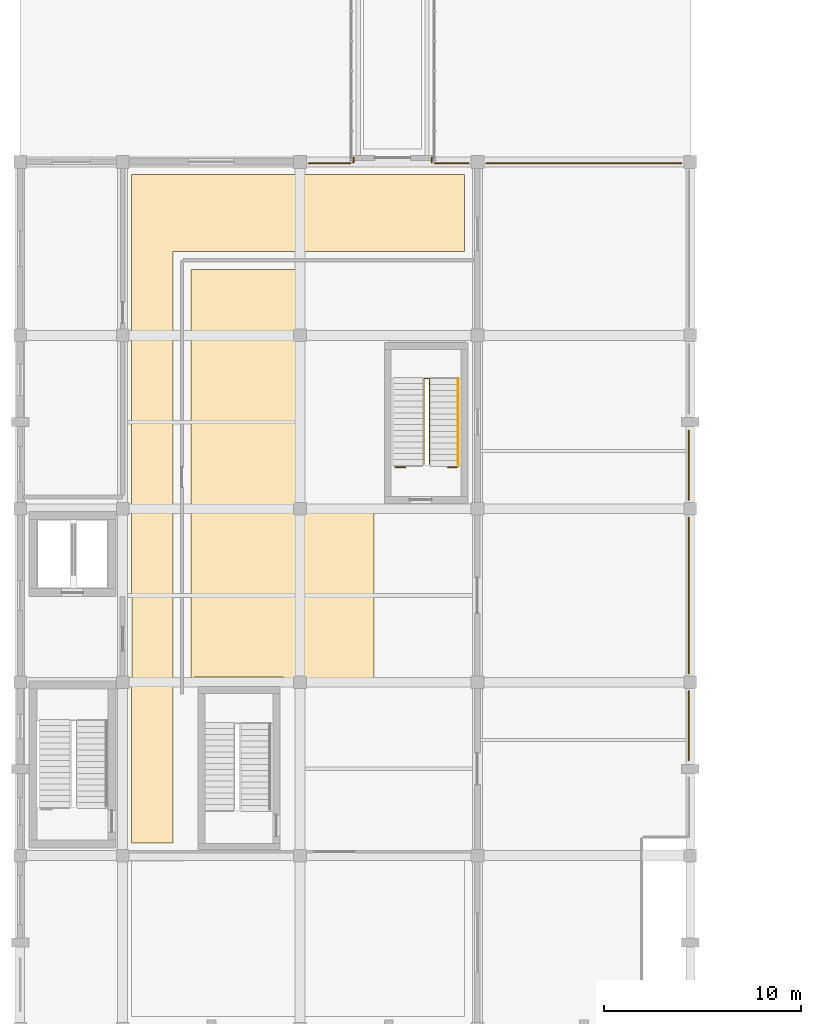
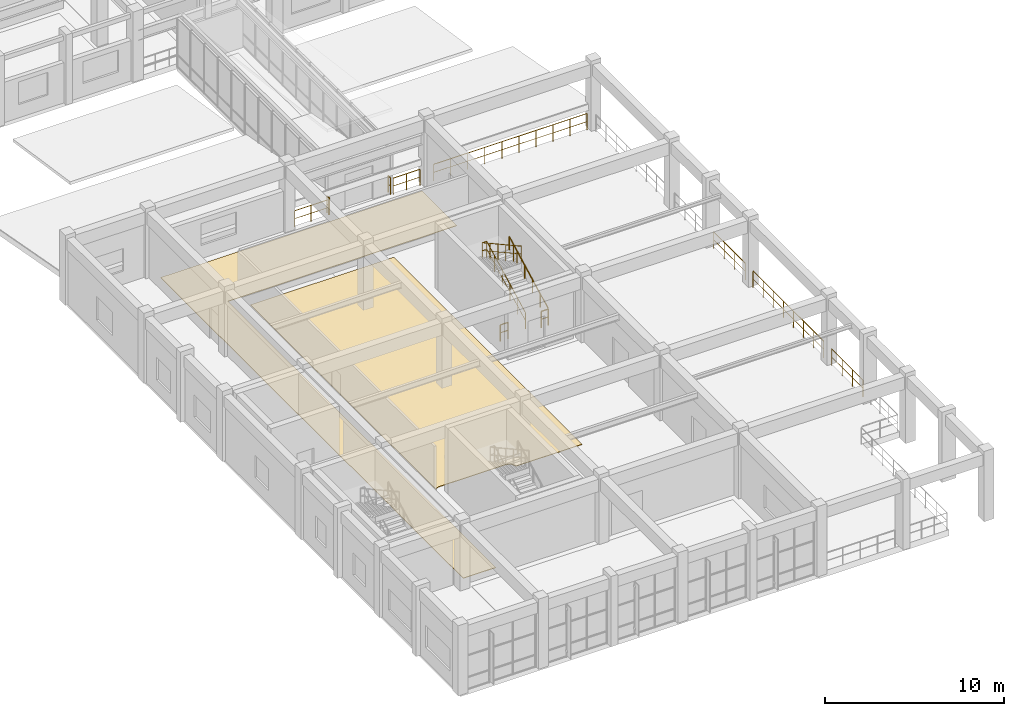
# One storey, part 95 of 104: 12 railings, 2 coverings.
"""IFC4 building model written with IfcOpenShell, lengths in metres."""

from ifc_helpers import new_model, si_unit, direction, frame, origin, origin_2d, place, context, subcontext, project, spatial, polyline, circle, outline, extrude, material, layer, layer_set, type_object, element, save


model = new_model("IFC4")

# Units and contexts
model_context = context("Model", 3, precision=1e-05, world=origin(), true_north=direction((0.0, 1.0)))
body_context = subcontext(model_context, "Body", "Model", "MODEL_VIEW")
ifc_project = project(units=[si_unit("LENGTHUNIT", "METRE"), si_unit("AREAUNIT", "SQUARE_METRE"), si_unit("VOLUMEUNIT", "CUBIC_METRE"), si_unit("PLANEANGLEUNIT", "RADIAN"), si_unit("MASSUNIT", "GRAM", prefix="KILO")], contexts=[model_context])

# Site, building, storey
site_placement = place(None, origin())
site = spatial("IfcSite", under=ifc_project, at=site_placement, CompositionType="ELEMENT")
building_placement = place(site_placement, origin())
building = spatial("IfcBuilding", under=site, at=building_placement, Name="Ventoquebrada Cableway Terminal", CompositionType="ELEMENT")
storey_placement = place(building_placement, frame((0.0, 0.0, 4.800048828125)))
storey = spatial("IfcBuildingStorey", under=building, at=storey_placement, Name="L01", CompositionType="ELEMENT", Elevation=4.800048828125)

# Coverings
ifc_material_1 = material(Name="Honed volcanic basalt stone flooring", Category="masonry")
ifc_layer = layer(ifc_material_1, 0.034912109375)
ifc_layer_set = layer_set([ifc_layer], Name="Honed volcanic basalt stone flooring")
covering_type = type_object("IfcCoveringType", Name="COV-FL01", PredefinedType="FLOORING", material=ifc_layer_set)
covering_1_placement = place(storey_placement, origin())
element("IfcCovering", 1, at=covering_1_placement, inside=storey, type_object=covering_type, Name="Honed basalt floor finish FL-02", PredefinedType="FLOORING", context=body_context, shape_type="SweptSolid", body=[
    extrude(outline(polyline([(10.75, 12.449951171875), (10.75, 42.449951171875), (25.550048828125, 42.449951171875), (25.550048828125, 46.35009765625), (8.64990234375, 46.35009765625), (8.64990234375, 25.089111328125), (8.669921875, 25.0419921875), (8.669921875, 20.55810546875), (8.64990234375, 20.510986328125), (8.64990234375, 12.449951171875), (10.75, 12.449951171875)])), origin(), (0.0, 0.0, 1.0), 0.034912109375),
])
covering_2_placement = place(storey_placement, origin())
element("IfcCovering", 2, at=covering_2_placement, inside=storey, type_object=covering_type, Name="Honed basalt floor finish FL-04", PredefinedType="FLOORING", context=body_context, shape_type="SweptSolid", body=[
    extrude(outline(polyline([(11.89208984375, 20.8701171875), (16.2919921875, 20.8701171875), (16.556884765625, 20.757080078125), (16.669921875, 20.491943359375), (16.669921875, 20.449951171875), (20.949951171875, 20.449951171875), (20.949951171875, 41.530029296875), (11.669921875, 41.530029296875), (11.669921875, 20.759033203125), (11.89208984375, 20.8701171875)])), origin(), (0.0, 0.0, 1.0), 0.034912109375),
])

# Railings
ifc_material_2 = material(Name="Brushed stainless steel Grade 316", Category="steel")
railing_type_1 = type_object("IfcRailingType", Name="RL-GD01", PredefinedType="GUARDRAIL", material=ifc_material_2)
railing_1_placement = place(storey_placement, frame((23.760009765625, 31.64990234375, 0.14990234375)))
element("IfcRailing", 3, at=railing_1_placement, inside=storey, type_object=railing_type_1, Name="Stair well guardrail GR-S06", PredefinedType="GUARDRAIL", context=body_context, shape_type="SweptSolid", body=[
    extrude(circle(Radius=0.02392578125, at=origin_2d()), frame((0.0, 0.001708984375, 1.096923828125), z_axis=(0.0, 0.888221851817, 0.459414782038), x_axis=(-1.0, 0.0, 0.0)), (0.0, 0.0, 1.0), 4.8935546875),
    extrude(circle(Radius=0.01611328125, at=origin_2d()), frame((0.0, 0.001708984375, 0.56103515625), z_axis=(0.0, 0.888221851817, 0.459414782038), x_axis=(-1.0, 0.0, 0.0)), (0.0, 0.0, 1.0), 4.8935546875),
    extrude(circle(Radius=0.02392578125, at=origin_2d()), frame((-0.001953125, 4.35009765625, 3.34619140625), z_axis=(-1.0, 0.0, 0.0), x_axis=(0.0, -1.0, 0.0)), (0.0, 0.0, 1.0), 0.276123046875),
    extrude(circle(Radius=0.01611328125, at=origin_2d()), frame((-0.001953125, 4.35009765625, 2.81005859375), z_axis=(-1.0, 0.0, 0.0), x_axis=(0.0, -1.0, 0.0)), (0.0, 0.0, 1.0), 0.276123046875),
    extrude(circle(Radius=0.02392578125, at=origin_2d()), frame((-0.280029296875, 4.348388671875, 3.346923828125), z_axis=(0.0, -0.875569800069, 0.483091632309), x_axis=(1.0, 0.0, 0.0)), (0.0, 0.0, 1.0), 4.96435546875),
    extrude(circle(Radius=0.01611328125, at=origin_2d()), frame((-0.280029296875, 4.348388671875, 2.81103515625), z_axis=(0.0, -0.875569800069, 0.483091632309), x_axis=(1.0, 0.0, 0.0)), (0.0, 0.0, 1.0), 4.96435546875),
    extrude(circle(Radius=0.02099609375, at=origin_2d()), origin(), (0.0, 0.0, 1.0), 1.072021484375),
    extrude(circle(Radius=0.02099609375, at=origin_2d()), frame((0.0, 0.8701171875, 0.449951171875)), (0.0, 0.0, 1.0), 1.072021484375),
    extrude(circle(Radius=0.02099609375, at=origin_2d()), frame((0.0, 1.739990234375, 0.89990234375)), (0.0, 0.0, 1.0), 1.072021484375),
    extrude(circle(Radius=0.02099609375, at=origin_2d()), frame((0.0, 2.610107421875, 1.35009765625)), (0.0, 0.0, 1.0), 1.072021484375),
    extrude(circle(Radius=0.02099609375, at=origin_2d()), frame((0.0, 3.47998046875, 1.800048828125)), (0.0, 0.0, 1.0), 1.072021484375),
    extrude(circle(Radius=0.02099609375, at=origin_2d()), frame((0.0, 4.35009765625, 2.25)), (0.0, 0.0, 1.0), 1.072021484375),
    extrude(circle(Radius=0.02099609375, at=origin_2d()), frame((-0.280029296875, 4.35009765625, 2.25)), (0.0, 0.0, 1.0), 1.072021484375),
    extrude(circle(Radius=0.02099609375, at=origin_2d()), frame((-0.280029296875, 3.47998046875, 2.72998046875)), (0.0, 0.0, 1.0), 1.072021484375),
    extrude(circle(Radius=0.02099609375, at=origin_2d()), frame((-0.280029296875, 2.610107421875, 3.2099609375)), (0.0, 0.0, 1.0), 1.072021484375),
    extrude(circle(Radius=0.02099609375, at=origin_2d()), frame((-0.280029296875, 1.739990234375, 3.690185546875)), (0.0, 0.0, 1.0), 1.072021484375),
    extrude(circle(Radius=0.02099609375, at=origin_2d()), frame((-0.280029296875, 0.8701171875, 4.170166015625)), (0.0, 0.0, 1.0), 1.072021484375),
    extrude(circle(Radius=0.02099609375, at=origin_2d()), frame((-0.280029296875, 0.0, 4.650146484375)), (0.0, 0.0, 1.0), 1.072021484375),
])
railing_2_placement = place(storey_placement, frame((17.64208984375, 46.919921875, 0.0)))
element("IfcRailing", 4, at=railing_2_placement, inside=storey, type_object=railing_type_1, Name="Open-edge guardrail GR-E079", PredefinedType="GUARDRAIL", context=body_context, shape_type="SweptSolid", body=[
    extrude(circle(Radius=0.02392578125, at=origin_2d()), frame((0.001953125, 0.0, 1.09619140625), z_axis=(1.0, 0.0, 0.0), x_axis=(0.0, 1.0, 0.0)), (0.0, 0.0, 1.0), 2.135986328125),
    extrude(circle(Radius=0.01611328125, at=origin_2d()), frame((0.001953125, 0.0, 0.56005859375), z_axis=(1.0, 0.0, 0.0), x_axis=(0.0, 1.0, 0.0)), (0.0, 0.0, 1.0), 2.135986328125),
    extrude(circle(Radius=0.02099609375, at=origin_2d()), origin(), (0.0, 0.0, 1.0), 1.072021484375),
    extrude(circle(Radius=0.02099609375, at=origin_2d()), frame((1.06982421875, 0.0, 0.0)), (0.0, 0.0, 1.0), 1.072021484375),
    extrude(circle(Radius=0.02099609375, at=origin_2d()), frame((2.225830078125, 0.052978515625, 0.0)), (0.0, 0.0, 1.0), 1.072021484375),
])
railing_3_placement = place(storey_placement, frame((23.927978515625, 46.97998046875, 0.0)))
element("IfcRailing", 5, at=railing_3_placement, inside=storey, type_object=railing_type_1, Name="Open-edge guardrail GR-E080", PredefinedType="GUARDRAIL", context=body_context, shape_type="SweptSolid", body=[
    extrude(circle(Radius=0.02392578125, at=origin_2d()), frame((0.092041015625, -0.06005859375, 1.09619140625), z_axis=(1.0, 0.0, 0.0), x_axis=(0.0, 1.0, 0.0)), (0.0, 0.0, 1.0), 1.735107421875),
    extrude(circle(Radius=0.01611328125, at=origin_2d()), frame((0.092041015625, -0.06005859375, 0.56005859375), z_axis=(1.0, 0.0, 0.0), x_axis=(0.0, 1.0, 0.0)), (0.0, 0.0, 1.0), 1.735107421875),
    extrude(circle(Radius=0.02099609375, at=origin_2d()), frame((0.090087890625, -0.06005859375, 0.0)), (0.0, 0.0, 1.0), 1.072021484375),
    extrude(circle(Radius=0.02099609375, at=origin_2d()), frame((0.95947265625, -0.06005859375, 0.0)), (0.0, 0.0, 1.0), 1.072021484375),
    extrude(circle(Radius=0.02099609375, at=origin_2d()), frame((1.8291015625, -0.06005859375, 0.0)), (0.0, 0.0, 1.0), 1.072021484375),
])
railing_4_placement = place(storey_placement, frame((22.044921875, 31.510009765625, 0.0)))
element("IfcRailing", 6, at=railing_4_placement, inside=storey, type_object=railing_type_1, Name="Open-edge guardrail GR-E089", PredefinedType="GUARDRAIL", context=body_context, shape_type="SweptSolid", body=[
    extrude(circle(Radius=0.02392578125, at=origin_2d()), frame((0.001953125, 0.0, 1.09619140625), z_axis=(1.0, 0.0, 0.0), x_axis=(0.0, 1.0, 0.0)), (0.0, 0.0, 1.0), 0.4912109375),
    extrude(circle(Radius=0.01611328125, at=origin_2d()), frame((0.001953125, 0.0, 0.56005859375), z_axis=(1.0, 0.0, 0.0), x_axis=(0.0, 1.0, 0.0)), (0.0, 0.0, 1.0), 0.4912109375),
    extrude(circle(Radius=0.02099609375, at=origin_2d()), origin(), (0.0, 0.0, 1.0), 1.072021484375),
    extrude(circle(Radius=0.02099609375, at=origin_2d()), frame((0.4951171875, 0.0, 0.0)), (0.0, 0.0, 1.0), 1.072021484375),
])
railing_5_placement = place(storey_placement, frame((24.699951171875, 31.510009765625, 0.0)))
element("IfcRailing", 7, at=railing_5_placement, inside=storey, type_object=railing_type_1, Name="Open-edge guardrail GR-E090", PredefinedType="GUARDRAIL", context=body_context, shape_type="SweptSolid", body=[
    extrude(circle(Radius=0.02392578125, at=origin_2d()), frame((0.001953125, 0.0, 1.09619140625), z_axis=(1.0, 0.0, 0.0), x_axis=(0.0, 1.0, 0.0)), (0.0, 0.0, 1.0), 0.451171875),
    extrude(circle(Radius=0.01611328125, at=origin_2d()), frame((0.001953125, 0.0, 0.56005859375), z_axis=(1.0, 0.0, 0.0), x_axis=(0.0, 1.0, 0.0)), (0.0, 0.0, 1.0), 0.451171875),
    extrude(circle(Radius=0.02099609375, at=origin_2d()), origin(), (0.0, 0.0, 1.0), 1.072021484375),
    extrude(circle(Radius=0.02099609375, at=origin_2d()), frame((0.455078125, 0.0, 0.0)), (0.0, 0.0, 1.0), 1.072021484375),
])
railing_type_2 = type_object("IfcRailingType", Name="RL-GD02", PredefinedType="BALUSTRADE", material=ifc_material_2)
for number, where, name in (
    (8, (19.919921875, 46.97998046875, 0.0), "Bridge end closure guardrail GR-B050"),
    (9, (23.8798828125, 46.97998046875, 0.0), "Bridge end closure guardrail GR-B051"),
):
    element("IfcRailing", number, at=place(storey_placement, frame(where)), inside=storey, type_object=railing_type_2, Name=name, PredefinedType="BALUSTRADE", context=body_context, shape_type="SweptSolid", body=[
        extrude(circle(Radius=0.02392578125, at=origin_2d()), frame((0.0, 0.001953125, 1.1259765625), z_axis=(0.0, 1.0, 0.0), x_axis=(-1.0, 0.0, 0.0)), (0.0, 0.0, 1.0), 0.236083984375),
        extrude(circle(Radius=0.01611328125, at=origin_2d()), frame((0.0, 0.001953125, 0.574951171875), z_axis=(0.0, 1.0, 0.0), x_axis=(-1.0, 0.0, 0.0)), (0.0, 0.0, 1.0), 0.236083984375),
        extrude(circle(Radius=0.02099609375, at=origin_2d()), origin(), (0.0, 0.0, 1.0), 1.101806640625),
        extrude(circle(Radius=0.02099609375, at=origin_2d()), frame((0.0, 0.239990234375, 0.0)), (0.0, 0.0, 1.0), 1.101806640625),
    ])
railing_6_placement = place(storey_placement, frame((26.64306640625, 46.919921875, 0.0)))
element("IfcRailing", 10, at=railing_6_placement, inside=storey, type_object=railing_type_2, Name="Terrace balustrade GR-E081", PredefinedType="BALUSTRADE", context=body_context, shape_type="SweptSolid", body=[
    extrude(circle(Radius=0.02392578125, at=origin_2d()), frame((0.001953125, 0.0, 1.1259765625), z_axis=(1.0, 0.0, 0.0), x_axis=(0.0, 1.0, 0.0)), (0.0, 0.0, 1.0), 9.909912109375),
    extrude(circle(Radius=0.01611328125, at=origin_2d()), frame((0.001953125, 0.0, 0.574951171875), z_axis=(1.0, 0.0, 0.0), x_axis=(0.0, 1.0, 0.0)), (0.0, 0.0, 1.0), 9.909912109375),
    extrude(circle(Radius=0.02099609375, at=origin_2d()), origin(), (0.0, 0.0, 1.0), 1.101806640625),
    extrude(circle(Radius=0.02099609375, at=origin_2d()), frame((1.1015625, 0.0, 0.0)), (0.0, 0.0, 1.0), 1.101806640625),
    extrude(circle(Radius=0.02099609375, at=origin_2d()), frame((2.203125, 0.0, 0.0)), (0.0, 0.0, 1.0), 1.101806640625),
    extrude(circle(Radius=0.02099609375, at=origin_2d()), frame((3.3046875, 0.0, 0.0)), (0.0, 0.0, 1.0), 1.101806640625),
    extrude(circle(Radius=0.02099609375, at=origin_2d()), frame((4.40625, 0.0, 0.0)), (0.0, 0.0, 1.0), 1.101806640625),
    extrude(circle(Radius=0.02099609375, at=origin_2d()), frame((5.507568359375, 0.0, 0.0)), (0.0, 0.0, 1.0), 1.101806640625),
    extrude(circle(Radius=0.02099609375, at=origin_2d()), frame((6.609130859375, 0.0, 0.0)), (0.0, 0.0, 1.0), 1.101806640625),
    extrude(circle(Radius=0.02099609375, at=origin_2d()), frame((7.710693359375, 0.0, 0.0)), (0.0, 0.0, 1.0), 1.101806640625),
    extrude(circle(Radius=0.02099609375, at=origin_2d()), frame((8.812255859375, 0.0, 0.0)), (0.0, 0.0, 1.0), 1.101806640625),
    extrude(circle(Radius=0.02099609375, at=origin_2d()), frame((9.913818359375, 0.0, 0.0)), (0.0, 0.0, 1.0), 1.101806640625),
])
railing_7_placement = place(storey_placement, frame((36.919921875, 33.35791015625, 0.0)))
element("IfcRailing", 11, at=railing_7_placement, inside=storey, type_object=railing_type_2, Name="Terrace balustrade GR-E084", PredefinedType="BALUSTRADE", context=body_context, shape_type="SweptSolid", body=[
    extrude(circle(Radius=0.02392578125, at=origin_2d()), frame((0.0, -0.001953125, 1.1259765625), z_axis=(0.0, -1.0, 0.0), x_axis=(1.0, 0.0, 0.0)), (0.0, 0.0, 1.0), 3.511962890625),
    extrude(circle(Radius=0.01611328125, at=origin_2d()), frame((0.0, -0.001953125, 0.574951171875), z_axis=(0.0, -1.0, 0.0), x_axis=(1.0, 0.0, 0.0)), (0.0, 0.0, 1.0), 3.511962890625),
    extrude(circle(Radius=0.02099609375, at=origin_2d()), origin(), (0.0, 0.0, 1.0), 1.101806640625),
    extrude(circle(Radius=0.02099609375, at=origin_2d()), frame((0.0, -1.171875, 0.0)), (0.0, 0.0, 1.0), 1.101806640625),
    extrude(circle(Radius=0.02099609375, at=origin_2d()), frame((0.0, -2.343994140625, 0.0)), (0.0, 0.0, 1.0), 1.101806640625),
    extrude(circle(Radius=0.02099609375, at=origin_2d()), frame((0.0, -3.515869140625, 0.0)), (0.0, 0.0, 1.0), 1.101806640625),
])
railing_8_placement = place(storey_placement, frame((36.919921875, 28.9580078125, 0.0)))
element("IfcRailing", 12, at=railing_8_placement, inside=storey, type_object=railing_type_2, Name="Terrace balustrade GR-E085", PredefinedType="BALUSTRADE", context=body_context, shape_type="SweptSolid", body=[
    extrude(circle(Radius=0.02392578125, at=origin_2d()), frame((0.0, -0.001953125, 1.1259765625), z_axis=(0.0, -1.0, 0.0), x_axis=(1.0, 0.0, 0.0)), (0.0, 0.0, 1.0), 7.912109375),
    extrude(circle(Radius=0.01611328125, at=origin_2d()), frame((0.0, -0.001953125, 0.574951171875), z_axis=(0.0, -1.0, 0.0), x_axis=(1.0, 0.0, 0.0)), (0.0, 0.0, 1.0), 7.912109375),
    extrude(circle(Radius=0.02099609375, at=origin_2d()), origin(), (0.0, 0.0, 1.0), 1.101806640625),
    extrude(circle(Radius=0.02099609375, at=origin_2d()), frame((0.0, -1.130859375, 0.0)), (0.0, 0.0, 1.0), 1.101806640625),
    extrude(circle(Radius=0.02099609375, at=origin_2d()), frame((0.0, -2.26171875, 0.0)), (0.0, 0.0, 1.0), 1.101806640625),
    extrude(circle(Radius=0.02099609375, at=origin_2d()), frame((0.0, -3.392578125, 0.0)), (0.0, 0.0, 1.0), 1.101806640625),
    extrude(circle(Radius=0.02099609375, at=origin_2d()), frame((0.0, -4.5234375, 0.0)), (0.0, 0.0, 1.0), 1.101806640625),
    extrude(circle(Radius=0.02099609375, at=origin_2d()), frame((0.0, -5.654296875, 0.0)), (0.0, 0.0, 1.0), 1.101806640625),
    extrude(circle(Radius=0.02099609375, at=origin_2d()), frame((0.0, -6.78515625, 0.0)), (0.0, 0.0, 1.0), 1.101806640625),
    extrude(circle(Radius=0.02099609375, at=origin_2d()), frame((0.0, -7.916015625, 0.0)), (0.0, 0.0, 1.0), 1.101806640625),
])
railing_9_placement = place(storey_placement, frame((36.919921875, 20.157958984375, 0.0)))
element("IfcRailing", 13, at=railing_9_placement, inside=storey, type_object=railing_type_2, Name="Terrace balustrade GR-E086", PredefinedType="BALUSTRADE", context=body_context, shape_type="SweptSolid", body=[
    extrude(circle(Radius=0.02392578125, at=origin_2d()), frame((0.0, -0.001953125, 1.1259765625), z_axis=(0.0, -1.0, 0.0), x_axis=(1.0, 0.0, 0.0)), (0.0, 0.0, 1.0), 3.510986328125),
    extrude(circle(Radius=0.01611328125, at=origin_2d()), frame((0.0, -0.001953125, 0.574951171875), z_axis=(0.0, -1.0, 0.0), x_axis=(1.0, 0.0, 0.0)), (0.0, 0.0, 1.0), 3.510986328125),
    extrude(circle(Radius=0.02099609375, at=origin_2d()), origin(), (0.0, 0.0, 1.0), 1.101806640625),
    extrude(circle(Radius=0.02099609375, at=origin_2d()), frame((0.0, -1.171630859375, 0.0)), (0.0, 0.0, 1.0), 1.101806640625),
    extrude(circle(Radius=0.02099609375, at=origin_2d()), frame((0.0, -2.34326171875, 0.0)), (0.0, 0.0, 1.0), 1.101806640625),
    extrude(circle(Radius=0.02099609375, at=origin_2d()), frame((0.0, -3.514892578125, 0.0)), (0.0, 0.0, 1.0), 1.101806640625),
])
railing_type_3 = type_object("IfcRailingType", Name="RL-HR01", PredefinedType="HANDRAIL", material=ifc_material_2)
railing_10_placement = place(storey_placement, frame((25.219970703125, 31.64990234375, 0.14990234375)))
element("IfcRailing", 14, at=railing_10_placement, inside=storey, type_object=railing_type_3, Name="Stair wall handrail HR-S06", PredefinedType="HANDRAIL", context=body_context, shape_type="SweptSolid", body=[
    extrude(circle(Radius=0.02392578125, at=origin_2d()), frame((0.0, 0.001708984375, 0.896728515625), z_axis=(0.0, 0.888221851817, 0.459414782038), x_axis=(-1.0, 0.0, 0.0)), (0.0, 0.0, 1.0), 4.8935546875),
    extrude(circle(Radius=0.02099609375, at=origin_2d()), origin(), (0.0, 0.0, 1.0), 0.871826171875),
    extrude(circle(Radius=0.02099609375, at=origin_2d()), frame((0.0, 0.8701171875, 0.449951171875)), (0.0, 0.0, 1.0), 0.871826171875),
    extrude(circle(Radius=0.02099609375, at=origin_2d()), frame((0.0, 1.739990234375, 0.89990234375)), (0.0, 0.0, 1.0), 0.871826171875),
    extrude(circle(Radius=0.02099609375, at=origin_2d()), frame((0.0, 2.610107421875, 1.35009765625)), (0.0, 0.0, 1.0), 0.871826171875),
    extrude(circle(Radius=0.02099609375, at=origin_2d()), frame((0.0, 3.47998046875, 1.800048828125)), (0.0, 0.0, 1.0), 0.871826171875),
    extrude(circle(Radius=0.02099609375, at=origin_2d()), frame((0.0, 4.35009765625, 2.25)), (0.0, 0.0, 1.0), 0.871826171875),
])

save(model, "model.ifc")
